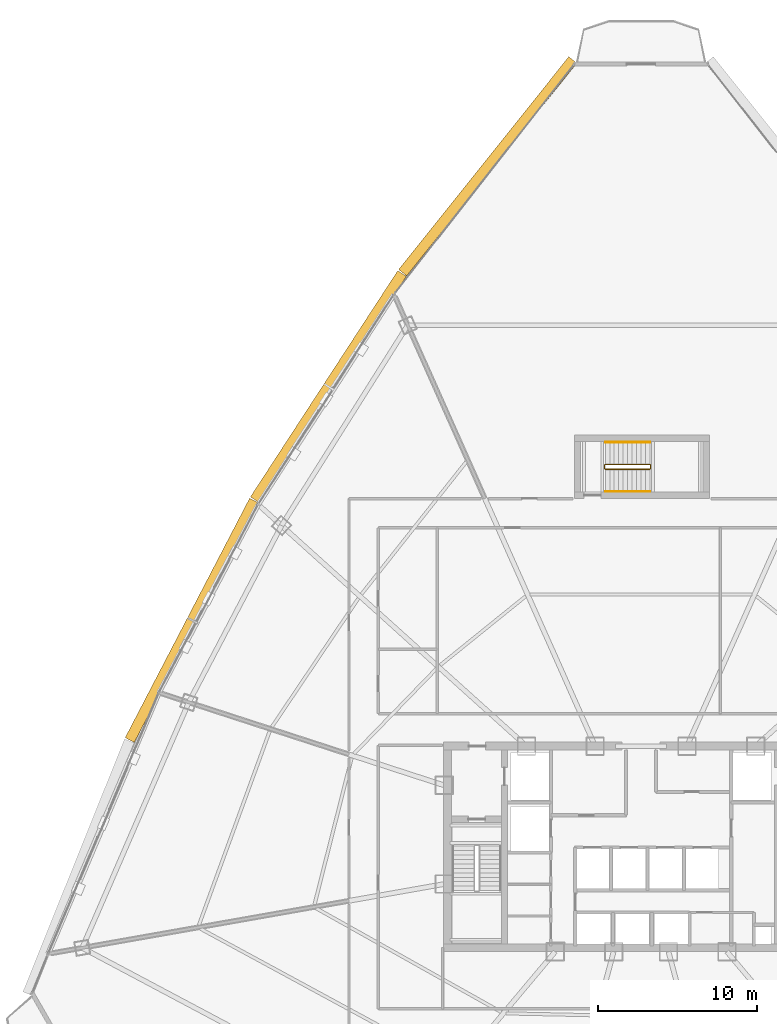
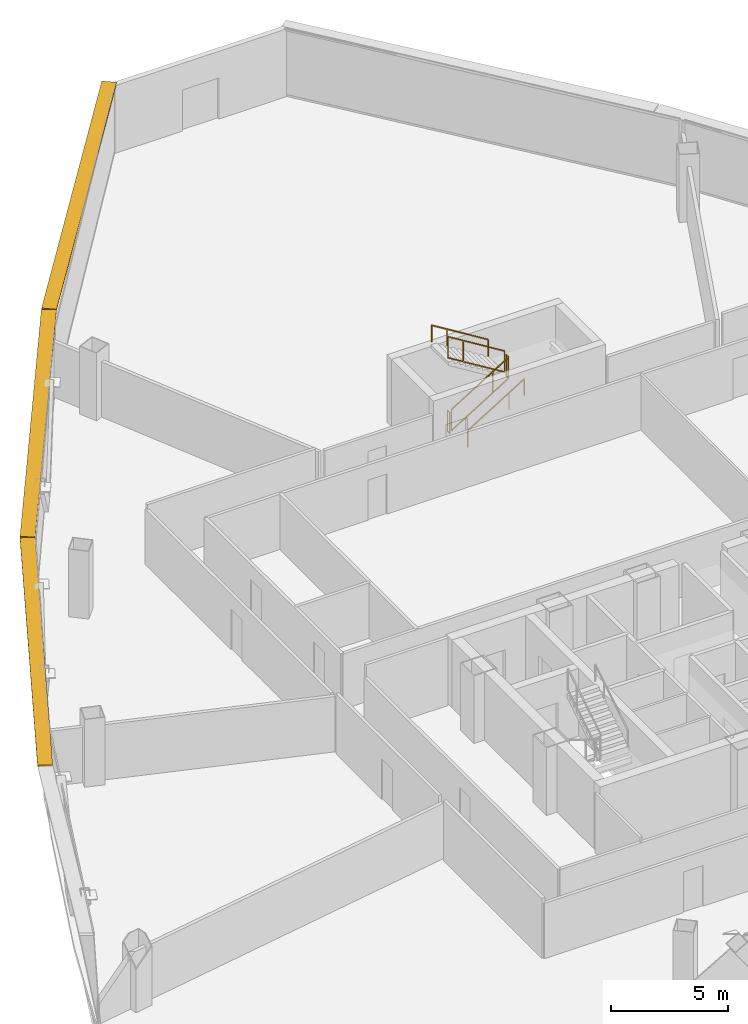
# One storey, part 36 of 37: 6 railings, 3 shading devices.
"""IFC4 building model written with IfcOpenShell, lengths in metres."""

from ifc_helpers import new_model, si_unit, direction, frame, origin, origin_2d, place, context, subcontext, project, spatial, rectangle, extrude, source, transform, mapped, material, layer, layer_set, type_object, element, save


model = new_model("IFC4")

# Units and contexts
model_context = context("Model", 3, precision=1e-05, world=origin(), true_north=direction((0.0, 1.0)))
body_context = subcontext(model_context, "Body", "Model", "MODEL_VIEW")
ifc_project = project(units=[si_unit("LENGTHUNIT", "METRE"), si_unit("AREAUNIT", "SQUARE_METRE"), si_unit("VOLUMEUNIT", "CUBIC_METRE"), si_unit("PLANEANGLEUNIT", "RADIAN"), si_unit("MASSUNIT", "GRAM", prefix="KILO"), si_unit("THERMODYNAMICTEMPERATUREUNIT", "KELVIN"), si_unit("POWERUNIT", "WATT")], contexts=[model_context])

# Site, building, storey
site_placement = place(None, origin())
site = spatial("IfcSite", under=ifc_project, at=site_placement, CompositionType="ELEMENT")
building_placement = place(site_placement, origin())
building = spatial("IfcBuilding", under=site, at=building_placement, Name="Yunzhuo Pagoda Commons", CompositionType="ELEMENT")
storey_placement = place(building_placement, frame((0.0, 0.0, 199.9599609375)))
storey = spatial("IfcBuildingStorey", under=building, at=storey_placement, Name="L50", CompositionType="ELEMENT", Elevation=199.9599609375)

# Railings
ifc_material = material(Name="Anodized aluminium 6063-T6", Category="aluminium")
railing_type_1 = type_object("IfcRailingType", Name="GR-ST3 North Well Guardrail 1155", PredefinedType="GUARDRAIL", material=ifc_material)
railing_1_placement = place(storey_placement, frame((45.75, 57.64990234375, 0.1728515625)))
element("IfcRailing", 1, at=railing_1_placement, inside=storey, type_object=railing_type_1, Name="L50 ST3 stair guard 1", PredefinedType="GUARDRAIL", context=body_context, shape_type="SweptSolid", body=[
    extrude(rectangle(XDim=0.048095703125, YDim=0.048095703125, at=origin_2d()), frame((0.0, 0.0, 1.1259765625), z_axis=(0.851089632645, 0.0, 0.525020415988), x_axis=(0.0, 1.0, 0.0)), (0.0, 0.0, 1.0), 3.2900390625),
    extrude(rectangle(XDim=0.048095703125, YDim=0.048095703125, at=origin_2d()), frame((0.0, 0.0, 0.02392578125), z_axis=(0.851089632645, 0.0, 0.525020415988), x_axis=(0.0, 1.0, 0.0)), (0.0, 0.0, 1.0), 3.2900390625),
    extrude(rectangle(XDim=0.0419921875, YDim=0.0419921875, at=origin_2d()), origin(), (0.0, 0.0, 1.0), 1.101806640625),
    extrude(rectangle(XDim=0.0419921875, YDim=0.0419921875, at=origin_2d()), frame((2.042724609375, 0.0, 1.260009765625)), (0.0, 0.0, 1.0), 1.101806640625),
    extrude(rectangle(XDim=0.0419921875, YDim=0.0419921875, at=origin_2d()), frame((2.800048828125, 0.0, 1.727294921875)), (0.0, 0.0, 1.0), 1.101806640625),
])
railing_2_placement = place(storey_placement, frame((48.60009765625, 57.699951171875, 1.900146484375)))
element("IfcRailing", 2, at=railing_2_placement, inside=storey, type_object=railing_type_1, Name="L50 ST3 stair guard 2", PredefinedType="GUARDRAIL", context=body_context, shape_type="SweptSolid", body=[
    extrude(rectangle(XDim=0.048095703125, YDim=0.048095703125, at=origin_2d()), frame((0.0, 0.0, 1.1259765625), z_axis=(0.0, 1.0, 0.0), x_axis=(-1.0, 0.0, 0.0)), (0.0, 0.0, 1.0), 0.199951171875),
    extrude(rectangle(XDim=0.048095703125, YDim=0.048095703125, at=origin_2d()), frame((0.0, 0.0, 0.02392578125), z_axis=(0.0, 1.0, 0.0), x_axis=(-1.0, 0.0, 0.0)), (0.0, 0.0, 1.0), 0.199951171875),
    extrude(rectangle(XDim=0.0419921875, YDim=0.0419921875, at=origin_2d()), origin(), (0.0, 0.0, 1.0), 1.101806640625),
    extrude(rectangle(XDim=0.0419921875, YDim=0.0419921875, at=origin_2d()), frame((0.0, 0.199951171875, 0.0)), (0.0, 0.0, 1.0), 1.101806640625),
])
railing_3_placement = place(storey_placement, frame((48.550048828125, 57.949951171875, 2.07275390625)))
element("IfcRailing", 3, at=railing_3_placement, inside=storey, type_object=railing_type_1, Name="L50 ST3 stair guard 3", PredefinedType="GUARDRAIL", context=body_context, shape_type="SweptSolid", body=[
    extrude(rectangle(XDim=0.048095703125, YDim=0.048095703125, at=origin_2d()), frame((0.0, 0.0, 1.1259765625), z_axis=(-0.851089632645, 0.0, 0.525020415988), x_axis=(0.0, -1.0, 0.0)), (0.0, 0.0, 1.0), 3.2900390625),
    extrude(rectangle(XDim=0.048095703125, YDim=0.048095703125, at=origin_2d()), frame((0.0, 0.0, 0.02392578125), z_axis=(-0.851089632645, 0.0, 0.525020415988), x_axis=(0.0, -1.0, 0.0)), (0.0, 0.0, 1.0), 3.2900390625),
    extrude(rectangle(XDim=0.0419921875, YDim=0.0419921875, at=origin_2d()), origin(), (0.0, 0.0, 1.0), 1.101806640625),
    extrude(rectangle(XDim=0.0419921875, YDim=0.0419921875, at=origin_2d()), frame((-2.042724609375, 0.0, 1.260009765625)), (0.0, 0.0, 1.0), 1.101806640625),
    extrude(rectangle(XDim=0.0419921875, YDim=0.0419921875, at=origin_2d()), frame((-2.800048828125, 0.0, 1.727294921875)), (0.0, 0.0, 1.0), 1.101806640625),
])
railing_4_placement = place(storey_placement, frame((45.699951171875, 57.699951171875, 0.0)))
element("IfcRailing", 4, at=railing_4_placement, inside=storey, type_object=railing_type_1, Name="L50 ST3 stair guard 4", PredefinedType="GUARDRAIL", context=body_context, shape_type="SweptSolid", body=[
    extrude(rectangle(XDim=0.048095703125, YDim=0.048095703125, at=origin_2d()), frame((0.0, 0.0, 1.1259765625), z_axis=(0.0, 1.0, 0.0), x_axis=(-1.0, 0.0, 0.0)), (0.0, 0.0, 1.0), 0.199951171875),
    extrude(rectangle(XDim=0.048095703125, YDim=0.048095703125, at=origin_2d()), frame((0.0, 0.0, 0.02392578125), z_axis=(0.0, 1.0, 0.0), x_axis=(-1.0, 0.0, 0.0)), (0.0, 0.0, 1.0), 0.199951171875),
    extrude(rectangle(XDim=0.0419921875, YDim=0.0419921875, at=origin_2d()), origin(), (0.0, 0.0, 1.0), 1.101806640625),
    extrude(rectangle(XDim=0.0419921875, YDim=0.0419921875, at=origin_2d()), frame((0.0, 0.199951171875, 0.0)), (0.0, 0.0, 1.0), 1.101806640625),
])
railing_type_2 = type_object("IfcRailingType", Name="HR-ST3 North Stair Handrail 900", PredefinedType="HANDRAIL", material=ifc_material)
railing_5_placement = place(storey_placement, frame((45.75, 56.25, 0.1728515625)))
element("IfcRailing", 5, at=railing_5_placement, inside=storey, type_object=railing_type_2, Name="L50 ST3 stair handrail 1", PredefinedType="HANDRAIL", context=body_context, shape_type="SweptSolid", body=[
    extrude(rectangle(XDim=0.048095703125, YDim=0.048095703125, at=origin_2d()), frame((0.0, 0.0, 0.8759765625), z_axis=(0.851089632645, 0.0, 0.525020415988), x_axis=(0.0, 1.0, 0.0)), (0.0, 0.0, 1.0), 3.2900390625),
    extrude(rectangle(XDim=0.0419921875, YDim=0.0419921875, at=origin_2d()), origin(), (0.0, 0.0, 1.0), 0.851806640625),
    extrude(rectangle(XDim=0.0419921875, YDim=0.0419921875, at=origin_2d()), frame((2.042724609375, 0.0, 1.260009765625)), (0.0, 0.0, 1.0), 0.851806640625),
    extrude(rectangle(XDim=0.0419921875, YDim=0.0419921875, at=origin_2d()), frame((2.800048828125, 0.0, 1.727294921875)), (0.0, 0.0, 1.0), 0.851806640625),
])
railing_6_placement = place(storey_placement, frame((48.550048828125, 59.35009765625, 2.07275390625)))
element("IfcRailing", 6, at=railing_6_placement, inside=storey, type_object=railing_type_2, Name="L50 ST3 stair handrail 2", PredefinedType="HANDRAIL", context=body_context, shape_type="SweptSolid", body=[
    extrude(rectangle(XDim=0.048095703125, YDim=0.048095703125, at=origin_2d()), frame((0.0, 0.0, 0.8759765625), z_axis=(-0.851089632645, 0.0, 0.525020415988), x_axis=(0.0, -1.0, 0.0)), (0.0, 0.0, 1.0), 3.2900390625),
    extrude(rectangle(XDim=0.0419921875, YDim=0.0419921875, at=origin_2d()), origin(), (0.0, 0.0, 1.0), 0.851806640625),
    extrude(rectangle(XDim=0.0419921875, YDim=0.0419921875, at=origin_2d()), frame((-2.042724609375, 0.0, 1.260009765625)), (0.0, 0.0, 1.0), 0.851806640625),
    extrude(rectangle(XDim=0.0419921875, YDim=0.0419921875, at=origin_2d()), frame((-2.800048828125, 0.0, 1.727294921875)), (0.0, 0.0, 1.0), 0.851806640625),
])

# Shading devices
ifc_layer = layer(ifc_material, 0.080078125)
ifc_layer_set = layer_set([ifc_layer], Name="Anodized aluminium 6063-T6")
shading_device_type = type_object("IfcShadingDeviceType", Name="SH-SUN1 Pagoda Horizontal Sunshade Eave 650", PredefinedType="USERDEFINED", material=ifc_layer_set)
shared_shape_1 = source(origin(), body_context, "Body", "SweptSolid", [
    extrude(rectangle(XDim=17.16650390625, YDim=0.64990234375, at=origin_2d()), origin(), (0.0, 0.0, 1.0), 0.080078125),
])
shading_device_1_placement = place(storey_placement, frame((38.339599609375, 76.728271484375, 3.4599609375), z_axis=(0.0, 0.0, 1.0), x_axis=(-0.624520471688, -0.781008438138, 0.0)))
element("IfcShadingDevice", 7, at=shading_device_1_placement, inside=storey, type_object=shading_device_type, Name="L50 horizontal pagoda sunshade eave F3.1", ObjectType="SUNSHADE", PredefinedType="USERDEFINED", context=body_context, shape_type="MappedRepresentation", body=[
    mapped(shared_shape_1, transform((0.0, 0.0, 0.0), scale=1.0)),
])
shared_shape_2 = source(origin(), body_context, "Body", "SweptSolid", [
    extrude(rectangle(XDim=17.003662109375, YDim=0.64990234375, at=origin_2d()), origin(), (0.0, 0.0, 1.0), 0.080078125),
])
shading_device_2_placement = place(storey_placement, frame((19.707763671875, 48.1279296875, 3.4599609375), z_axis=(0.0, 0.0, 1.0), x_axis=(-0.461206683033, -0.88729273384, 0.0)))
element("IfcShadingDevice", 8, at=shading_device_2_placement, inside=storey, type_object=shading_device_type, Name="L50 horizontal pagoda sunshade eave F3.3", ObjectType="SUNSHADE", PredefinedType="USERDEFINED", context=body_context, shape_type="MappedRepresentation", body=[
    mapped(shared_shape_2, transform((0.0, 0.0, 0.0), scale=1.0)),
])
shared_shape_3 = source(origin(), body_context, "Body", "SweptSolid", [
    extrude(rectangle(XDim=17.00341796875, YDim=0.64990234375, at=origin_2d()), origin(), (0.0, 0.0, 1.0), 0.080078125),
])
shading_device_3_placement = place(storey_placement, frame((28.301513671875, 62.849853515625, 3.4599609375), z_axis=(0.0, 0.0, 1.0), x_axis=(-0.545838756973, -0.837890238269, 0.0)))
element("IfcShadingDevice", 9, at=shading_device_3_placement, inside=storey, type_object=shading_device_type, Name="L50 horizontal pagoda sunshade eave F3.2", ObjectType="SUNSHADE", PredefinedType="USERDEFINED", context=body_context, shape_type="MappedRepresentation", body=[
    mapped(shared_shape_3, transform((0.0, 0.0, 0.0), scale=1.0)),
])

save(model, "model.ifc")
